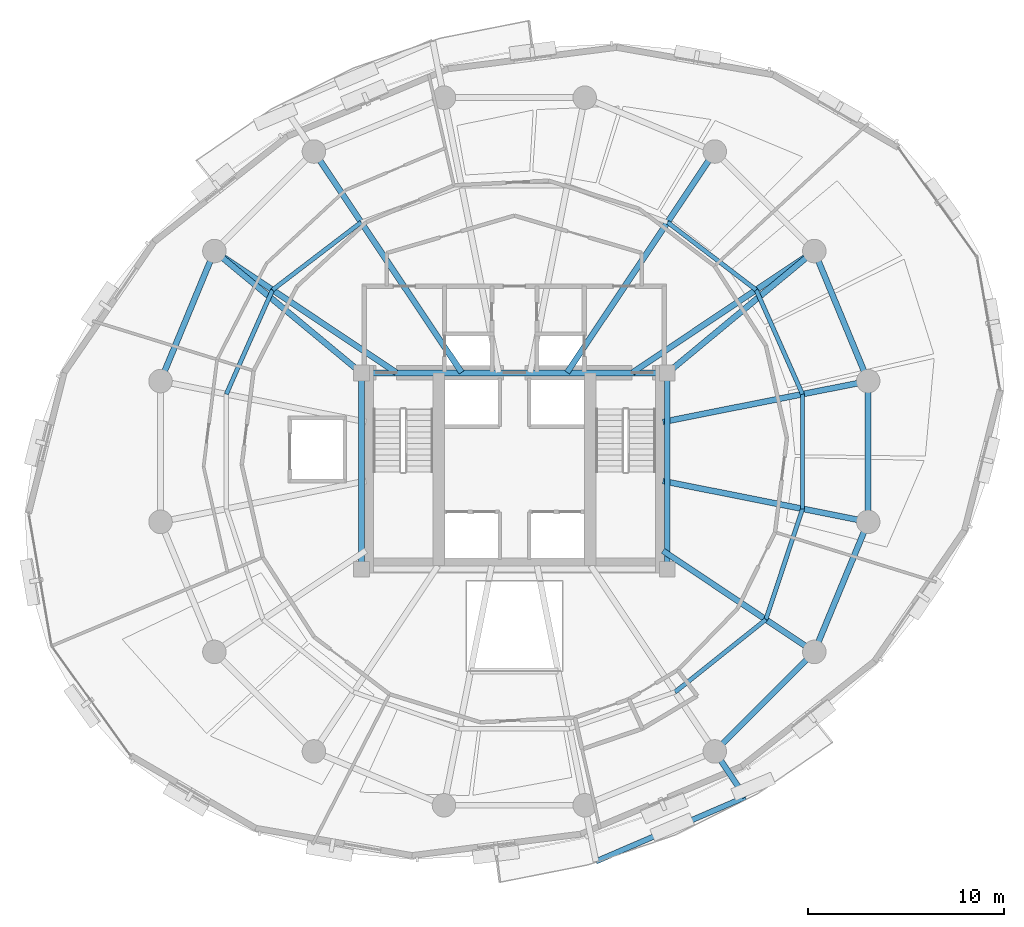
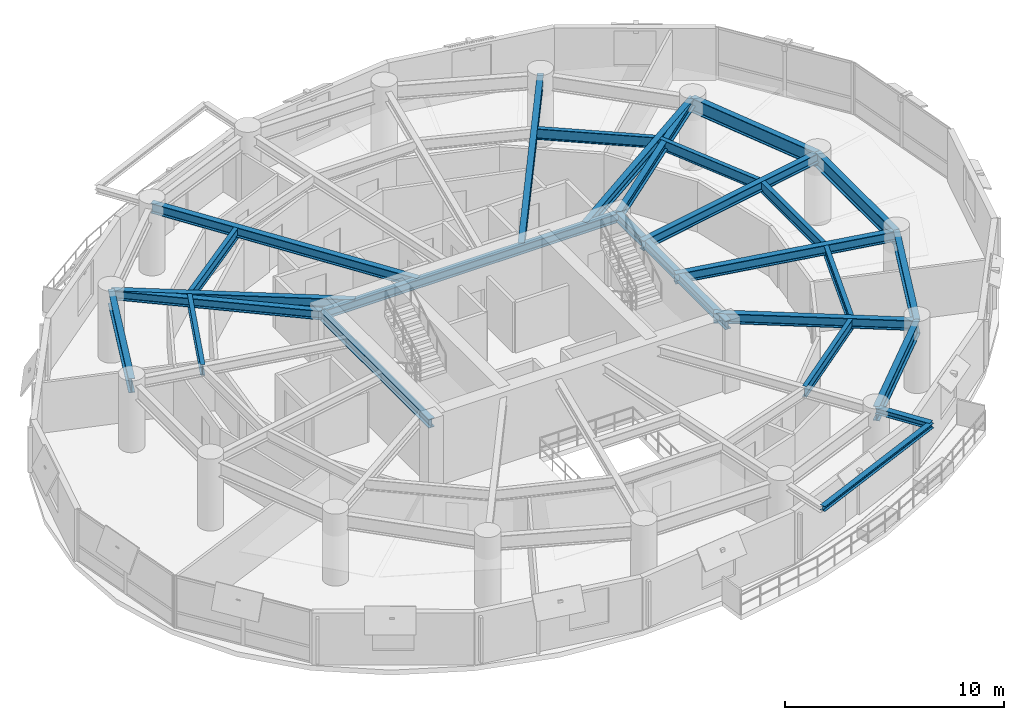
# One storey, part 5 of 14: 26 beams.
"""IFC4 building model written with IfcOpenShell, lengths in metres."""

from ifc_helpers import new_model, si_unit, direction, frame, origin, origin_2d, place, context, subcontext, project, spatial, i_section, extrude, material, material_profile, profile_set, type_object, element, save


model = new_model("IFC4")

# Units and contexts
model_context = context("Model", 3, precision=1e-05, world=origin(), true_north=direction((0.0, 1.0)))
body_context = subcontext(model_context, "Body", "Model", "MODEL_VIEW")
ifc_project = project(units=[si_unit("LENGTHUNIT", "METRE"), si_unit("AREAUNIT", "SQUARE_METRE"), si_unit("VOLUMEUNIT", "CUBIC_METRE"), si_unit("PLANEANGLEUNIT", "RADIAN"), si_unit("MASSUNIT", "GRAM", prefix="KILO"), si_unit("THERMODYNAMICTEMPERATUREUNIT", "KELVIN"), si_unit("POWERUNIT", "WATT")], contexts=[model_context])

# Site, building, storey
site_placement = place(None, origin())
site = spatial("IfcSite", under=ifc_project, at=site_placement, CompositionType="ELEMENT")
building_placement = place(site_placement, origin())
building = spatial("IfcBuilding", under=site, at=building_placement, Name="Ocrelia Relay Tower", CompositionType="ELEMENT")
storey_placement = place(building_placement, frame((0.0, 0.0, 129.800048828125)))
storey = spatial("IfcBuildingStorey", under=building, at=storey_placement, Name="L30", CompositionType="ELEMENT", Elevation=129.800048828125)

# Beams
ifc_material = material(Name="Steel S355", Category="steel")
ifc_material_profile_1 = material_profile(ifc_material, i_section(OverallWidth=0.280029296875, OverallDepth=0.27001953125, WebThickness=0.008056640625, FlangeThickness=0.012939453125, FilletRadius=0.02392578125, at=origin_2d()), Name="HEA 280")
ifc_profile_set_1 = profile_set([ifc_material_profile_1], Name="Steel S355")
beam_type_1 = type_object("IfcBeamType", Name="BM-HEA280", PredefinedType="BEAM", material=ifc_profile_set_1)
beam_1_placement = place(storey_placement, frame((38.1591796875, 5.090087890625, 3.5849609375), z_axis=(0.918313388474, 0.39585416576, 0.0), x_axis=(-0.39585416576, 0.918313388474, 0.0)))
element("IfcBeam", 1, at=beam_1_placement, inside=storey, type_object=beam_type_1, Name="L31 Balcony Edge Trimmer Beam B2", PredefinedType="BEAM", context=body_context, shape_type="SweptSolid", body=[
    extrude(i_section(OverallWidth=0.280029296875, OverallDepth=0.27001953125, WebThickness=0.008056640625, FlangeThickness=0.012939453125, FilletRadius=0.02392578125, at=origin_2d()), origin(), (0.0, 0.0, 1.0), 8.2958984375),
])
ifc_material_profile_2 = material_profile(ifc_material, i_section(OverallWidth=0.300048828125, OverallDepth=0.330078125, WebThickness=0.009521484375, FlangeThickness=0.0166015625, FilletRadius=0.027099609375, at=origin_2d()), Name="HEA 340")
ifc_profile_set_2 = profile_set([ifc_material_profile_2], Name="Steel S355")
beam_type_2 = type_object("IfcBeamType", Name="BM-HEA340", PredefinedType="BEAM", material=ifc_profile_set_2)
beam_2_placement = place(storey_placement, frame((44.222412109375, 10.700927734375, 3.554931640625), z_axis=(0.555605779259, -0.831445859965, 0.0), x_axis=(0.831445859965, 0.555605779259, 0.0)))
element("IfcBeam", 2, at=beam_2_placement, inside=storey, type_object=beam_type_2, Name="L31 Balcony Cantilever Beam B2-2", PredefinedType="BEAM", context=body_context, shape_type="SweptSolid", body=[
    extrude(i_section(OverallWidth=0.300048828125, OverallDepth=0.330078125, WebThickness=0.009521484375, FlangeThickness=0.0166015625, FilletRadius=0.027099609375, at=origin_2d()), origin(), (0.0, 0.0, 1.0), 2.798583984375),
])
ifc_material_profile_3 = material_profile(ifc_material, i_section(OverallWidth=0.300048828125, OverallDepth=0.5, WebThickness=0.014404296875, FlangeThickness=0.028076171875, FilletRadius=0.027099609375, at=origin_2d()), Name="HEB 500")
ifc_profile_set_3 = profile_set([ifc_material_profile_3], Name="Steel S355")
beam_type_3 = type_object("IfcBeamType", Name="BM-HEB500", PredefinedType="BEAM", material=ifc_profile_set_3)
beam_3_placement = place(storey_placement, frame((26.199951171875, 30.0, 3.469970703125), z_axis=(1.0, 0.0, 0.0), x_axis=(0.0, 1.0, 0.0)))
element("IfcBeam", 3, at=beam_3_placement, inside=storey, type_object=beam_type_3, Name="L30 Core Pilaster Tie Beam N", PredefinedType="BEAM", context=body_context, shape_type="SweptSolid", body=[
    extrude(i_section(OverallWidth=0.300048828125, OverallDepth=0.5, WebThickness=0.014404296875, FlangeThickness=0.028076171875, FilletRadius=0.027099609375, at=origin_2d()), origin(), (0.0, 0.0, 1.0), 15.60009765625),
])
for number, where, z_axis, x_axis, name in (
    (4, (26.199951171875, 20.0, 3.469970703125), (0.0, 1.0, 0.0), (-1.0, 0.0, 0.0), "L30 Core Pilaster Tie Beam W"),
    (5, (41.800048828125, 20.0, 3.469970703125), (0.0, 1.0, 0.0), (-1.0, 0.0, 0.0), "L30 Core Pilaster Tie Beam E"),
):
    element("IfcBeam", number, at=place(storey_placement, frame(where, z_axis=z_axis, x_axis=x_axis)), inside=storey, type_object=beam_type_3, Name=name, PredefinedType="BEAM", context=body_context, shape_type="SweptSolid", body=[
        extrude(i_section(OverallWidth=0.300048828125, OverallDepth=0.5, WebThickness=0.014404296875, FlangeThickness=0.028076171875, FilletRadius=0.027099609375, at=origin_2d()), origin(), (0.0, 0.0, 1.0), 10.0),
    ])
for number, where, z_axis, x_axis, name in (
    (6, (49.299072265625, 36.222412109375, 3.469970703125), (-0.769570862751, -0.638561420072, 0.0), (0.638561420072, -0.769570862751, 0.0), "L30 Core Pilaster Frame Tie Beam PT02"),
    (7, (18.700927734375, 36.222412109375, 3.469970703125), (0.769570862751, -0.638561420072, 0.0), (0.638561420072, 0.769570862751, 0.0), "L30 Core Pilaster Frame Tie Beam PT07"),
):
    element("IfcBeam", number, at=place(storey_placement, frame(where, z_axis=z_axis, x_axis=x_axis)), inside=storey, type_object=beam_type_3, Name=name, PredefinedType="BEAM", context=body_context, shape_type="SweptSolid", body=[
        extrude(i_section(OverallWidth=0.300048828125, OverallDepth=0.5, WebThickness=0.014404296875, FlangeThickness=0.028076171875, FilletRadius=0.027099609375, at=origin_2d()), origin(), (0.0, 0.0, 1.0), 9.744384765625),
    ])
ifc_material_profile_4 = material_profile(ifc_material, i_section(OverallWidth=0.300048828125, OverallDepth=0.550048828125, WebThickness=0.014892578125, FlangeThickness=0.029052734375, FilletRadius=0.027099609375, at=origin_2d()), Name="HEB 550")
ifc_profile_set_4 = profile_set([ifc_material_profile_4], Name="Steel S355")
beam_type_4 = type_object("IfcBeamType", Name="BM-HEB550", PredefinedType="BEAM", material=ifc_profile_set_4)
beam_4_placement = place(storey_placement, frame((52.04638671875, 29.589599609375, 3.445068359375), z_axis=(-0.980786914024, -0.195082109071, 0.0), x_axis=(0.195082109071, -0.980786914024, 0.0)))
element("IfcBeam", 8, at=beam_4_placement, inside=storey, type_object=beam_type_4, Name="L30 Radial Floor Girder R01", PredefinedType="BEAM", context=body_context, shape_type="SweptSolid", body=[
    extrude(i_section(OverallWidth=0.300048828125, OverallDepth=0.550048828125, WebThickness=0.014892578125, FlangeThickness=0.029052734375, FilletRadius=0.027099609375, at=origin_2d()), origin(), (0.0, 0.0, 1.0), 10.67138671875),
])
beam_5_placement = place(storey_placement, frame((49.299072265625, 36.222412109375, 3.445068359375), z_axis=(-0.83147699108, -0.555559189741, 0.0), x_axis=(0.555559189741, -0.83147699108, 0.0)))
element("IfcBeam", 9, at=beam_5_placement, inside=storey, type_object=beam_type_4, Name="L30 Radial Floor Girder R02", PredefinedType="BEAM", context=body_context, shape_type="SweptSolid", body=[
    extrude(i_section(OverallWidth=0.300048828125, OverallDepth=0.550048828125, WebThickness=0.014892578125, FlangeThickness=0.029052734375, FilletRadius=0.027099609375, at=origin_2d()), origin(), (0.0, 0.0, 1.0), 11.146240234375),
])
for number, where, z_axis, x_axis, name in (
    (10, (44.222412109375, 41.299072265625, 3.445068359375), (-0.555560399988, -0.83147618244, 0.0), (0.83147618244, -0.555560399988, 0.0), "L30 Radial Floor Girder R03"),
    (11, (23.777587890625, 41.299072265625, 3.445068359375), (0.555560399988, -0.83147618244, 0.0), (0.83147618244, 0.555560399988, 0.0), "L30 Radial Floor Girder R06"),
):
    element("IfcBeam", number, at=place(storey_placement, frame(where, z_axis=z_axis, x_axis=x_axis)), inside=storey, type_object=beam_type_4, Name=name, PredefinedType="BEAM", context=body_context, shape_type="SweptSolid", body=[
        extrude(i_section(OverallWidth=0.300048828125, OverallDepth=0.550048828125, WebThickness=0.014892578125, FlangeThickness=0.029052734375, FilletRadius=0.027099609375, at=origin_2d()), origin(), (0.0, 0.0, 1.0), 13.552978515625),
    ])
beam_6_placement = place(storey_placement, frame((18.700927734375, 36.222412109375, 3.445068359375), z_axis=(0.83147699108, -0.555559189741, 0.0), x_axis=(0.555559189741, 0.83147699108, 0.0)))
element("IfcBeam", 12, at=beam_6_placement, inside=storey, type_object=beam_type_4, Name="L30 Radial Floor Girder R07", PredefinedType="BEAM", context=body_context, shape_type="SweptSolid", body=[
    extrude(i_section(OverallWidth=0.300048828125, OverallDepth=0.550048828125, WebThickness=0.014892578125, FlangeThickness=0.029052734375, FilletRadius=0.027099609375, at=origin_2d()), origin(), (0.0, 0.0, 1.0), 11.146240234375),
])
beam_7_placement = place(storey_placement, frame((49.299072265625, 15.777587890625, 3.445068359375), z_axis=(-0.8314672312, 0.555573796575, 0.0), x_axis=(-0.555573796575, -0.8314672312, 0.0)))
element("IfcBeam", 13, at=beam_7_placement, inside=storey, type_object=beam_type_4, Name="L30 Radial Floor Girder R15", PredefinedType="BEAM", context=body_context, shape_type="SweptSolid", body=[
    extrude(i_section(OverallWidth=0.300048828125, OverallDepth=0.550048828125, WebThickness=0.014892578125, FlangeThickness=0.029052734375, FilletRadius=0.027099609375, at=origin_2d()), origin(), (0.0, 0.0, 1.0), 9.28369140625),
])
beam_8_placement = place(storey_placement, frame((52.04638671875, 22.410400390625, 3.445068359375), z_axis=(-0.980786914024, 0.195082109071, 0.0), x_axis=(-0.195082109071, -0.980786914024, 0.0)))
element("IfcBeam", 14, at=beam_8_placement, inside=storey, type_object=beam_type_4, Name="L30 Radial Floor Girder R16", PredefinedType="BEAM", context=body_context, shape_type="SweptSolid", body=[
    extrude(i_section(OverallWidth=0.300048828125, OverallDepth=0.550048828125, WebThickness=0.014892578125, FlangeThickness=0.029052734375, FilletRadius=0.027099609375, at=origin_2d()), origin(), (0.0, 0.0, 1.0), 10.67138671875),
])
ifc_material_profile_5 = material_profile(ifc_material, i_section(OverallWidth=0.300048828125, OverallDepth=0.800048828125, WebThickness=0.017578125, FlangeThickness=0.032958984375, FilletRadius=0.030029296875, at=origin_2d()), Name="HEB 800")
ifc_profile_set_5 = profile_set([ifc_material_profile_5], Name="Steel S355")
beam_type_5 = type_object("IfcBeamType", Name="BM-HEB800", PredefinedType="BEAM", material=ifc_profile_set_5)
for number, where, z_axis, x_axis, name in (
    (15, (52.04638671875, 29.589599609375, 3.320068359375), (-0.382673155247, 0.923883789366, 0.0), (-0.923883789366, -0.382673155247, 0.0), "L30 Perimeter Spandrel Beam S01"),
    (16, (18.700927734375, 36.222412109375, 3.320068359375), (-0.382673155247, -0.923883789366, 0.0), (0.923883789366, -0.382673155247, 0.0), "L30 Perimeter Spandrel Beam S07"),
):
    element("IfcBeam", number, at=place(storey_placement, frame(where, z_axis=z_axis, x_axis=x_axis)), inside=storey, type_object=beam_type_5, Name=name, PredefinedType="BEAM", context=body_context, shape_type="SweptSolid", body=[
        extrude(i_section(OverallWidth=0.300048828125, OverallDepth=0.800048828125, WebThickness=0.017578125, FlangeThickness=0.032958984375, FilletRadius=0.030029296875, at=origin_2d()), origin(), (0.0, 0.0, 1.0), 7.17919921875),
    ])
beam_9_placement = place(storey_placement, frame((44.222412109375, 10.700927734375, 3.320068359375), z_axis=(0.707106781187, 0.707106781187, 0.0), x_axis=(-0.707106781187, 0.707106781187, 0.0)))
element("IfcBeam", 17, at=beam_9_placement, inside=storey, type_object=beam_type_5, Name="L30 Perimeter Spandrel Beam S14", PredefinedType="BEAM", context=body_context, shape_type="SweptSolid", body=[
    extrude(i_section(OverallWidth=0.300048828125, OverallDepth=0.800048828125, WebThickness=0.017578125, FlangeThickness=0.032958984375, FilletRadius=0.030029296875, at=origin_2d()), origin(), (0.0, 0.0, 1.0), 7.179443359375),
])
for number, where, z_axis, x_axis, name in (
    (18, (49.299072265625, 15.777587890625, 3.320068359375), (0.382673155247, 0.923883789366, 0.0), (-0.923883789366, 0.382673155247, 0.0), "L30 Perimeter Spandrel Beam S15"),
    (19, (52.04638671875, 22.410400390625, 3.320068359375), (0.0, 1.0, 0.0), (-1.0, 0.0, 0.0), "L30 Perimeter Spandrel Beam S16"),
):
    element("IfcBeam", number, at=place(storey_placement, frame(where, z_axis=z_axis, x_axis=x_axis)), inside=storey, type_object=beam_type_5, Name=name, PredefinedType="BEAM", context=body_context, shape_type="SweptSolid", body=[
        extrude(i_section(OverallWidth=0.300048828125, OverallDepth=0.800048828125, WebThickness=0.017578125, FlangeThickness=0.032958984375, FilletRadius=0.030029296875, at=origin_2d()), origin(), (0.0, 0.0, 1.0), 7.17919921875),
    ])
ifc_material_profile_6 = material_profile(ifc_material, i_section(OverallWidth=0.219970703125, OverallDepth=0.60009765625, WebThickness=0.011962890625, FlangeThickness=0.01904296875, FilletRadius=0.02392578125, at=origin_2d()), Name="IPE 600")
ifc_profile_set_6 = profile_set([ifc_material_profile_6], Name="Steel S355")
beam_type_6 = type_object("IfcBeamType", Name="BM-IPE600", PredefinedType="JOIST", material=ifc_profile_set_6)
beam_10_placement = place(storey_placement, frame((48.697265625, 28.923583984375, 3.419921875), z_axis=(-0.406243565397, 0.913764830563, 0.0), x_axis=(-0.913764830563, -0.406243565397, 0.0)))
element("IfcBeam", 20, at=beam_10_placement, inside=storey, type_object=beam_type_6, Name="L30 Secondary Floor Joist J01", PredefinedType="JOIST", context=body_context, shape_type="SweptSolid", body=[
    extrude(i_section(OverallWidth=0.219970703125, OverallDepth=0.60009765625, WebThickness=0.011962890625, FlangeThickness=0.01904296875, FilletRadius=0.02392578125, at=origin_2d()), origin(), (0.0, 0.0, 1.0), 5.819091796875),
])
for number, where, z_axis, x_axis, name in (
    (21, (46.333251953125, 34.240966796875, 3.419921875), (-0.794762167004, 0.60692099807, 0.0), (-0.60692099807, -0.794762167004, 0.0), "L30 Secondary Floor Joist J02"),
    (22, (26.18701171875, 37.69287109375, 3.419921875), (-0.794762167004, -0.60692099807, 0.0), (0.60692099807, -0.794762167004, 0.0), "L30 Secondary Floor Joist J06"),
):
    element("IfcBeam", number, at=place(storey_placement, frame(where, z_axis=z_axis, x_axis=x_axis)), inside=storey, type_object=beam_type_6, Name=name, PredefinedType="JOIST", context=body_context, shape_type="SweptSolid", body=[
        extrude(i_section(OverallWidth=0.219970703125, OverallDepth=0.60009765625, WebThickness=0.011962890625, FlangeThickness=0.01904296875, FilletRadius=0.02392578125, at=origin_2d()), origin(), (0.0, 0.0, 1.0), 5.6875),
    ])
beam_11_placement = place(storey_placement, frame((21.666748046875, 34.240966796875, 3.419921875), z_axis=(-0.405741333342, -0.913987948727, 0.0), x_axis=(0.913987948727, -0.405741333342, 0.0)))
element("IfcBeam", 23, at=beam_11_placement, inside=storey, type_object=beam_type_6, Name="L30 Secondary Floor Joist J07", PredefinedType="JOIST", context=body_context, shape_type="SweptSolid", body=[
    extrude(i_section(OverallWidth=0.219970703125, OverallDepth=0.60009765625, WebThickness=0.011962890625, FlangeThickness=0.01904296875, FilletRadius=0.02392578125, at=origin_2d()), origin(), (0.0, 0.0, 1.0), 5.818603515625),
])
beam_12_placement = place(storey_placement, frame((42.197998046875, 13.731201171875, 3.419921875), z_axis=(0.781519577804, 0.623880717372, 0.0), x_axis=(-0.623880717372, 0.781519577804, 0.0)))
element("IfcBeam", 24, at=beam_12_placement, inside=storey, type_object=beam_type_6, Name="L30 Secondary Floor Joist J14", PredefinedType="JOIST", context=body_context, shape_type="SweptSolid", body=[
    extrude(i_section(OverallWidth=0.219970703125, OverallDepth=0.60009765625, WebThickness=0.011962890625, FlangeThickness=0.01904296875, FilletRadius=0.02392578125, at=origin_2d()), origin(), (0.0, 0.0, 1.0), 5.925537109375),
])
beam_13_placement = place(storey_placement, frame((46.828857421875, 17.427978515625, 3.419921875), z_axis=(0.314047924314, 0.949407131443, 0.0), x_axis=(-0.949407131443, 0.314047924314, 0.0)))
element("IfcBeam", 25, at=beam_13_placement, inside=storey, type_object=beam_type_6, Name="L30 Secondary Floor Joist J15", PredefinedType="JOIST", context=body_context, shape_type="SweptSolid", body=[
    extrude(i_section(OverallWidth=0.219970703125, OverallDepth=0.60009765625, WebThickness=0.011962890625, FlangeThickness=0.01904296875, FilletRadius=0.02392578125, at=origin_2d()), origin(), (0.0, 0.0, 1.0), 5.949462890625),
])
beam_14_placement = place(storey_placement, frame((48.697265625, 23.076416015625, 3.419921875), z_axis=(0.0, 1.0, 0.0), x_axis=(-1.0, 0.0, 0.0)))
element("IfcBeam", 26, at=beam_14_placement, inside=storey, type_object=beam_type_6, Name="L30 Secondary Floor Joist J16", PredefinedType="JOIST", context=body_context, shape_type="SweptSolid", body=[
    extrude(i_section(OverallWidth=0.219970703125, OverallDepth=0.60009765625, WebThickness=0.011962890625, FlangeThickness=0.01904296875, FilletRadius=0.02392578125, at=origin_2d()), origin(), (0.0, 0.0, 1.0), 5.84716796875),
])

save(model, "model.ifc")
